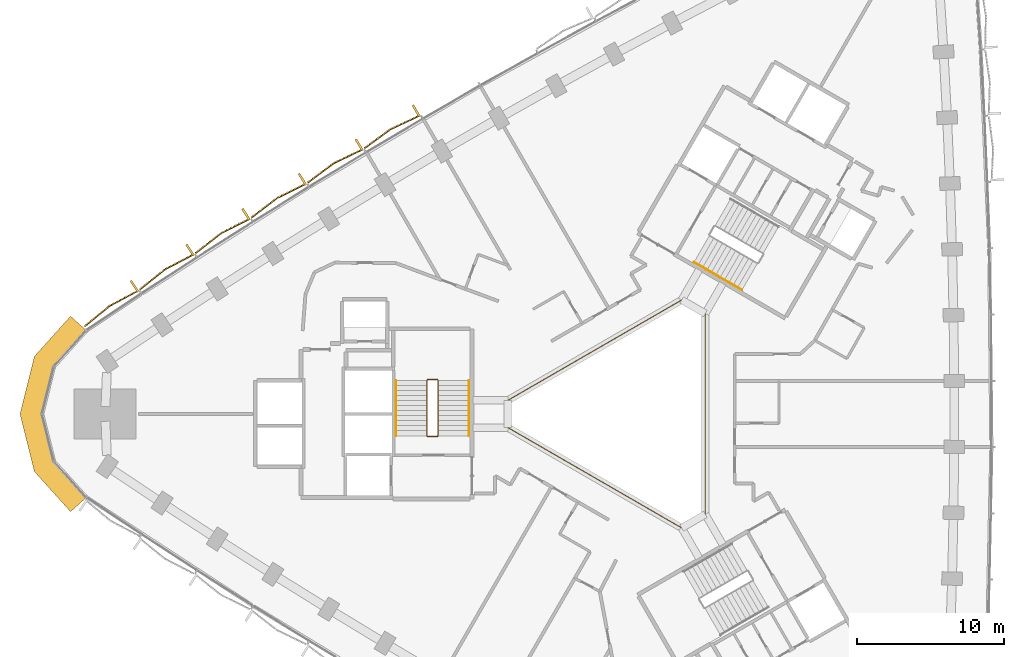
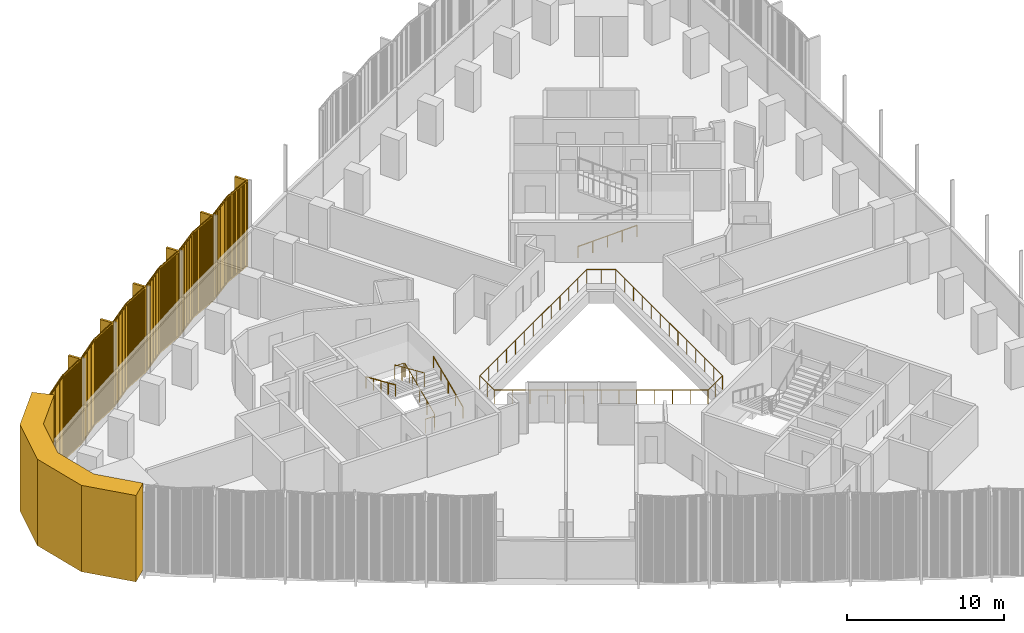
# One storey, part 15 of 16: 7 coverings, 5 railings.
"""IFC4 building model written with IfcOpenShell, lengths in metres."""

from ifc_helpers import new_model, si_unit, direction, frame, frame_2d, origin, origin_2d, place, context, subcontext, project, spatial, polyline, rectangle, circle, outline, extrude, source, transform, mapped, material, layer, layer_set, type_object, element, save


model = new_model("IFC4")

# Units and contexts
model_context = context("Model", 3, precision=1e-05, world=origin(), true_north=direction((0.0, 1.0)))
body_context = subcontext(model_context, "Body", "Model", "MODEL_VIEW")
ifc_project = project(units=[si_unit("LENGTHUNIT", "METRE"), si_unit("AREAUNIT", "SQUARE_METRE"), si_unit("VOLUMEUNIT", "CUBIC_METRE"), si_unit("PLANEANGLEUNIT", "RADIAN"), si_unit("MASSUNIT", "GRAM", prefix="KILO")], contexts=[model_context])

# Site, building, storey
site_placement = place(None, origin())
site = spatial("IfcSite", under=ifc_project, at=site_placement, CompositionType="ELEMENT")
building_placement = place(site_placement, origin())
building = spatial("IfcBuilding", under=site, at=building_placement, Name="Tamra Quay Hotel Tower", CompositionType="ELEMENT")
storey_placement = place(building_placement, frame((0.0, 0.0, 45.800048828125)))
storey = spatial("IfcBuildingStorey", under=building, at=storey_placement, Name="L09", CompositionType="ELEMENT", Elevation=45.800048828125)

# Covering
ifc_material_1 = material(Name="Precast concrete M60 terracotta-coloured", Category="masonry")
ifc_layer = layer(ifc_material_1, 1.449951171875)
ifc_layer_set = layer_set([ifc_layer], Name="CORNER PIER PANEL")
covering_type_1 = type_object("IfcCoveringType", Name="CORNER PIER PANEL", PredefinedType="CLADDING", material=ifc_layer_set)
covering_placement = place(storey_placement, origin())
element("IfcCovering", 1, at=covering_placement, inside=storey, type_object=covering_type_1, Name="Corner pier L09.north-west", PredefinedType="CLADDING", context=body_context, shape_type="SweptSolid", body=[
    extrude(outline(polyline([(-37.001708984375, 5.6669921875), (-38.0791015625, 6.63720703125), (-40.5341796875, 3.91064453125), (-41.509033203125, 0.0), (-40.5341796875, -3.91064453125), (-38.0791015625, -6.63720703125), (-37.001708984375, -5.6669921875), (-39.214599609375, -3.208984375), (-40.0146484375, 0.0), (-39.214599609375, 3.208984375), (-37.001708984375, 5.6669921875)])), origin(), (0.0, 0.0, 1.0), 6.724853515625),
])

# Railings
ifc_material_2 = material(Name="Guard atrium edge 1100")
railing_type_1 = type_object("IfcRailingType", Name="Guard atrium edge 1100", PredefinedType="GUARDRAIL", material=ifc_material_2)
railing_1_placement = place(storey_placement, frame((5.0, -6.81298828125, 0.0)))
element("IfcRailing", 2, at=railing_1_placement, inside=storey, type_object=railing_type_1, Name="G-A", PredefinedType="GUARDRAIL", context=body_context, shape_type="SweptSolid", body=[
    extrude(circle(Radius=0.02392578125, at=origin_2d()), frame((0.0, 0.0, 1.076171875), z_axis=(-0.866194386982, -0.499707198227, 0.0), x_axis=(0.499707198227, -0.866194386982, 0.0)), (0.0, 0.0, 1.0), 1.84716796875),
    extrude(circle(Radius=0.02392578125, at=origin_2d()), frame((-1.60009765625, -0.923095703125, 1.076171875), z_axis=(-0.866044747976, 0.49996649338, 0.0), x_axis=(-0.49996649338, -0.866044747976, 0.0)), (0.0, 0.0, 1.0), 13.625),
    extrude(circle(Radius=0.02392578125, at=origin_2d()), frame((-13.39990234375, 5.888916015625, 1.076171875), z_axis=(0.0, 1.0, 0.0), x_axis=(-1.0, 0.0, 0.0)), (0.0, 0.0, 1.0), 1.84814453125),
    extrude(circle(Radius=0.02392578125, at=origin_2d()), frame((-13.39990234375, 7.737060546875, 1.076171875), z_axis=(0.866044747976, 0.49996649338, 0.0), x_axis=(-0.49996649338, 0.866044747976, 0.0)), (0.0, 0.0, 1.0), 13.625),
    extrude(circle(Radius=0.02392578125, at=origin_2d()), frame((-1.60009765625, 14.549072265625, 1.076171875), z_axis=(0.866194386982, -0.499707198227, 0.0), x_axis=(0.499707198227, 0.866194386982, 0.0)), (0.0, 0.0, 1.0), 1.84716796875),
    extrude(circle(Radius=0.02392578125, at=origin_2d()), frame((0.0, 13.6259765625, 1.076171875), z_axis=(0.0, -1.0, 0.0), x_axis=(1.0, 0.0, 0.0)), (0.0, 0.0, 1.0), 13.6259765625),
    extrude(circle(Radius=0.02099609375, at=origin_2d()), origin(), (0.0, 0.0, 1.0), 1.052001953125),
    extrude(circle(Radius=0.02099609375, at=origin_2d()), frame((-0.800048828125, -0.46142578125, 0.0)), (0.0, 0.0, 1.0), 1.052001953125),
    extrude(circle(Radius=0.02099609375, at=origin_2d()), frame((-1.60009765625, -0.923095703125, 0.0)), (0.0, 0.0, 1.0), 1.052001953125),
    extrude(circle(Radius=0.02099609375, at=origin_2d()), frame((-2.58349609375, -0.35546875, 0.0)), (0.0, 0.0, 1.0), 1.052001953125),
    extrude(circle(Radius=0.02099609375, at=origin_2d()), frame((-3.566650390625, 0.212158203125, 0.0)), (0.0, 0.0, 1.0), 1.052001953125),
    extrude(circle(Radius=0.02099609375, at=origin_2d()), frame((-4.550048828125, 0.77978515625, 0.0)), (0.0, 0.0, 1.0), 1.052001953125),
    extrude(circle(Radius=0.02099609375, at=origin_2d()), frame((-5.533447265625, 1.34765625, 0.0)), (0.0, 0.0, 1.0), 1.052001953125),
    extrude(circle(Radius=0.02099609375, at=origin_2d()), frame((-6.5166015625, 1.915283203125, 0.0)), (0.0, 0.0, 1.0), 1.052001953125),
    extrude(circle(Radius=0.02099609375, at=origin_2d()), frame((-7.5, 2.48291015625, 0.0)), (0.0, 0.0, 1.0), 1.052001953125),
    extrude(circle(Radius=0.02099609375, at=origin_2d()), frame((-8.4833984375, 3.050537109375, 0.0)), (0.0, 0.0, 1.0), 1.052001953125),
    extrude(circle(Radius=0.02099609375, at=origin_2d()), frame((-9.466552734375, 3.6181640625, 0.0)), (0.0, 0.0, 1.0), 1.052001953125),
    extrude(circle(Radius=0.02099609375, at=origin_2d()), frame((-10.449951171875, 4.18603515625, 0.0)), (0.0, 0.0, 1.0), 1.052001953125),
    extrude(circle(Radius=0.02099609375, at=origin_2d()), frame((-11.433349609375, 4.753662109375, 0.0)), (0.0, 0.0, 1.0), 1.052001953125),
    extrude(circle(Radius=0.02099609375, at=origin_2d()), frame((-12.41650390625, 5.3212890625, 0.0)), (0.0, 0.0, 1.0), 1.052001953125),
    extrude(circle(Radius=0.02099609375, at=origin_2d()), frame((-13.39990234375, 5.888916015625, 0.0)), (0.0, 0.0, 1.0), 1.052001953125),
    extrude(circle(Radius=0.02099609375, at=origin_2d()), frame((-13.39990234375, 6.81298828125, 0.0)), (0.0, 0.0, 1.0), 1.052001953125),
    extrude(circle(Radius=0.02099609375, at=origin_2d()), frame((-13.39990234375, 7.737060546875, 0.0)), (0.0, 0.0, 1.0), 1.052001953125),
    extrude(circle(Radius=0.02099609375, at=origin_2d()), frame((-12.41650390625, 8.3046875, 0.0)), (0.0, 0.0, 1.0), 1.052001953125),
    extrude(circle(Radius=0.02099609375, at=origin_2d()), frame((-11.433349609375, 8.872314453125, 0.0)), (0.0, 0.0, 1.0), 1.052001953125),
    extrude(circle(Radius=0.02099609375, at=origin_2d()), frame((-10.449951171875, 9.43994140625, 0.0)), (0.0, 0.0, 1.0), 1.052001953125),
    extrude(circle(Radius=0.02099609375, at=origin_2d()), frame((-9.466552734375, 10.0078125, 0.0)), (0.0, 0.0, 1.0), 1.052001953125),
    extrude(circle(Radius=0.02099609375, at=origin_2d()), frame((-8.4833984375, 10.575439453125, 0.0)), (0.0, 0.0, 1.0), 1.052001953125),
    extrude(circle(Radius=0.02099609375, at=origin_2d()), frame((-7.5, 11.14306640625, 0.0)), (0.0, 0.0, 1.0), 1.052001953125),
    extrude(circle(Radius=0.02099609375, at=origin_2d()), frame((-6.5166015625, 11.710693359375, 0.0)), (0.0, 0.0, 1.0), 1.052001953125),
    extrude(circle(Radius=0.02099609375, at=origin_2d()), frame((-5.533447265625, 12.2783203125, 0.0)), (0.0, 0.0, 1.0), 1.052001953125),
    extrude(circle(Radius=0.02099609375, at=origin_2d()), frame((-4.550048828125, 12.84619140625, 0.0)), (0.0, 0.0, 1.0), 1.052001953125),
    extrude(circle(Radius=0.02099609375, at=origin_2d()), frame((-3.566650390625, 13.413818359375, 0.0)), (0.0, 0.0, 1.0), 1.052001953125),
    extrude(circle(Radius=0.02099609375, at=origin_2d()), frame((-2.58349609375, 13.9814453125, 0.0)), (0.0, 0.0, 1.0), 1.052001953125),
    extrude(circle(Radius=0.02099609375, at=origin_2d()), frame((-1.60009765625, 14.549072265625, 0.0)), (0.0, 0.0, 1.0), 1.052001953125),
    extrude(circle(Radius=0.02099609375, at=origin_2d()), frame((-0.800048828125, 14.08740234375, 0.0)), (0.0, 0.0, 1.0), 1.052001953125),
    extrude(circle(Radius=0.02099609375, at=origin_2d()), frame((0.0, 13.6259765625, 0.0)), (0.0, 0.0, 1.0), 1.052001953125),
    extrude(circle(Radius=0.02099609375, at=origin_2d()), frame((0.0, 12.490478515625, 0.0)), (0.0, 0.0, 1.0), 1.052001953125),
    extrude(circle(Radius=0.02099609375, at=origin_2d()), frame((0.0, 11.35498046875, 0.0)), (0.0, 0.0, 1.0), 1.052001953125),
    extrude(circle(Radius=0.02099609375, at=origin_2d()), frame((0.0, 10.219482421875, 0.0)), (0.0, 0.0, 1.0), 1.052001953125),
    extrude(circle(Radius=0.02099609375, at=origin_2d()), frame((0.0, 9.083984375, 0.0)), (0.0, 0.0, 1.0), 1.052001953125),
    extrude(circle(Radius=0.02099609375, at=origin_2d()), frame((0.0, 7.948486328125, 0.0)), (0.0, 0.0, 1.0), 1.052001953125),
    extrude(circle(Radius=0.02099609375, at=origin_2d()), frame((0.0, 6.81298828125, 0.0)), (0.0, 0.0, 1.0), 1.052001953125),
    extrude(circle(Radius=0.02099609375, at=origin_2d()), frame((0.0, 5.677490234375, 0.0)), (0.0, 0.0, 1.0), 1.052001953125),
    extrude(circle(Radius=0.02099609375, at=origin_2d()), frame((0.0, 4.5419921875, 0.0)), (0.0, 0.0, 1.0), 1.052001953125),
    extrude(circle(Radius=0.02099609375, at=origin_2d()), frame((0.0, 3.406494140625, 0.0)), (0.0, 0.0, 1.0), 1.052001953125),
    extrude(circle(Radius=0.02099609375, at=origin_2d()), frame((0.0, 2.27099609375, 0.0)), (0.0, 0.0, 1.0), 1.052001953125),
    extrude(circle(Radius=0.02099609375, at=origin_2d()), frame((0.0, 1.135498046875, 0.0)), (0.0, 0.0, 1.0), 1.052001953125),
])
ifc_material_3 = material(Name="Stair guard 1100")
railing_type_2 = type_object("IfcRailingType", Name="Stair guard 1100", PredefinedType="GUARDRAIL", material=ifc_material_3)
railing_2_placement = place(storey_placement, frame((-13.84130859375, -1.530029296875, 0.0)))
element("IfcRailing", 3, at=railing_2_placement, inside=storey, type_object=railing_type_2, Name="GR", PredefinedType="GUARDRAIL", context=body_context, shape_type="SweptSolid", body=[
    extrude(circle(Radius=0.02392578125, at=origin_2d()), frame((0.0, 0.0, 1.076171875), z_axis=(1.0, 0.0, 0.0), x_axis=(0.0, 1.0, 0.0)), (0.0, 0.0, 1.0), 0.658935546875),
    extrude(circle(Radius=0.02392578125, at=origin_2d()), frame((0.658935546875, 0.0, 1.076171875), z_axis=(0.301912943143, 0.301912943143, 0.904266083366), x_axis=(-0.707106781187, 0.707106781187, 0.0)), (0.0, 0.0, 1.0), 0.165771484375),
    extrude(circle(Radius=0.02392578125, at=origin_2d()), frame((0.708984375, 0.050048828125, 1.22607421875), z_axis=(0.0, 0.915773634228, 0.401694723457), x_axis=(-1.0, 0.0, 0.0)), (0.0, 0.0, 1.0), 4.10791015625),
    extrude(circle(Radius=0.02392578125, at=origin_2d()), frame((0.708984375, 3.81201171875, 2.8759765625), z_axis=(-0.708833529934, 0.705375805398, 0.0), x_axis=(-0.705375805398, -0.708833529934, 0.0)), (0.0, 0.0, 1.0), 0.070556640625),
    extrude(circle(Radius=0.02392578125, at=origin_2d()), frame((0.658935546875, 3.86181640625, 2.8759765625), z_axis=(-1.0, 0.0, 0.0), x_axis=(0.0, -1.0, 0.0)), (0.0, 0.0, 1.0), 0.658935546875),
    extrude(circle(Radius=0.02392578125, at=origin_2d()), frame((0.0, 3.86181640625, 2.8759765625), z_axis=(-0.302046947789, -0.300573548044, 0.904667443621), x_axis=(0.705375805398, -0.708833529934, 0.0)), (0.0, 0.0, 1.0), 0.165771484375),
    extrude(circle(Radius=0.02392578125, at=origin_2d()), frame((-0.050048828125, 3.81201171875, 3.02587890625), z_axis=(0.0, -0.915795495799, 0.401644880304), x_axis=(1.0, 0.0, 0.0)), (0.0, 0.0, 1.0), 4.10791015625),
    extrude(circle(Radius=0.02099609375, at=origin_2d()), origin(), (0.0, 0.0, 1.0), 1.052001953125),
    extrude(circle(Radius=0.02099609375, at=origin_2d()), frame((0.658935546875, 0.0, 0.0)), (0.0, 0.0, 1.0), 1.052001953125),
    extrude(circle(Radius=0.02099609375, at=origin_2d()), frame((0.708984375, 0.050048828125, 0.14990234375)), (0.0, 0.0, 1.0), 1.052001953125),
    extrude(circle(Radius=0.02099609375, at=origin_2d()), frame((0.708984375, 0.990478515625, 0.5625)), (0.0, 0.0, 1.0), 1.052001953125),
    extrude(circle(Radius=0.02099609375, at=origin_2d()), frame((0.708984375, 1.93115234375, 0.97509765625)), (0.0, 0.0, 1.0), 1.052001953125),
    extrude(circle(Radius=0.02099609375, at=origin_2d()), frame((0.708984375, 2.87158203125, 1.387451171875)), (0.0, 0.0, 1.0), 1.052001953125),
    extrude(circle(Radius=0.02099609375, at=origin_2d()), frame((0.708984375, 3.81201171875, 1.800048828125)), (0.0, 0.0, 1.0), 1.052001953125),
    extrude(circle(Radius=0.02099609375, at=origin_2d()), frame((0.658935546875, 3.86181640625, 1.800048828125)), (0.0, 0.0, 1.0), 1.052001953125),
    extrude(circle(Radius=0.02099609375, at=origin_2d()), frame((0.0, 3.86181640625, 1.800048828125)), (0.0, 0.0, 1.0), 1.052001953125),
    extrude(circle(Radius=0.02099609375, at=origin_2d()), frame((-0.050048828125, 3.81201171875, 1.949951171875)), (0.0, 0.0, 1.0), 1.052001953125),
    extrude(circle(Radius=0.02099609375, at=origin_2d()), frame((-0.050048828125, 2.87158203125, 2.3623046875)), (0.0, 0.0, 1.0), 1.052001953125),
    extrude(circle(Radius=0.02099609375, at=origin_2d()), frame((-0.050048828125, 1.93115234375, 2.77490234375)), (0.0, 0.0, 1.0), 1.052001953125),
    extrude(circle(Radius=0.02099609375, at=origin_2d()), frame((-0.050048828125, 0.990478515625, 3.1875)), (0.0, 0.0, 1.0), 1.052001953125),
    extrude(circle(Radius=0.02099609375, at=origin_2d()), frame((-0.050048828125, 0.050048828125, 3.599853515625)), (0.0, 0.0, 1.0), 1.052001953125),
])
ifc_material_4 = material(Name="Stair handrail 900")
railing_type_3 = type_object("IfcRailingType", Name="Stair handrail 900", PredefinedType="HANDRAIL", material=ifc_material_4)
railing_3_placement = place(storey_placement, frame((-11.0322265625, -1.47998046875, 0.14990234375)))
element("IfcRailing", 4, at=railing_3_placement, inside=storey, type_object=railing_type_3, Name="HR", PredefinedType="HANDRAIL", context=body_context, shape_type="SweptSolid", body=[
    extrude(circle(Radius=0.02392578125, at=origin_2d()), frame((0.0, 0.0, 0.8759765625), z_axis=(0.0, 0.915773634228, 0.401694723457), x_axis=(-1.0, 0.0, 0.0)), (0.0, 0.0, 1.0), 4.10791015625),
    extrude(circle(Radius=0.02099609375, at=origin_2d()), origin(), (0.0, 0.0, 1.0), 0.851806640625),
    extrude(circle(Radius=0.02099609375, at=origin_2d()), frame((0.0, 0.9404296875, 0.41259765625)), (0.0, 0.0, 1.0), 0.851806640625),
    extrude(circle(Radius=0.02099609375, at=origin_2d()), frame((0.0, 1.880859375, 0.8251953125)), (0.0, 0.0, 1.0), 0.851806640625),
    extrude(circle(Radius=0.02099609375, at=origin_2d()), frame((0.0, 2.821533203125, 1.237548828125)), (0.0, 0.0, 1.0), 0.851806640625),
    extrude(circle(Radius=0.02099609375, at=origin_2d()), frame((0.0, 3.761962890625, 1.650146484375)), (0.0, 0.0, 1.0), 0.851806640625),
])
railing_4_placement = place(storey_placement, frame((-15.9912109375, 2.281982421875, 1.949951171875)))
element("IfcRailing", 5, at=railing_4_placement, inside=storey, type_object=railing_type_3, Name="HR", PredefinedType="HANDRAIL", context=body_context, shape_type="SweptSolid", body=[
    extrude(circle(Radius=0.02392578125, at=origin_2d()), frame((0.0, 0.0, 0.8759765625), z_axis=(0.0, -0.915795495799, 0.401644880304), x_axis=(1.0, 0.0, 0.0)), (0.0, 0.0, 1.0), 4.10791015625),
    extrude(circle(Radius=0.02099609375, at=origin_2d()), origin(), (0.0, 0.0, 1.0), 0.851806640625),
    extrude(circle(Radius=0.02099609375, at=origin_2d()), frame((0.0, -0.9404296875, 0.41259765625)), (0.0, 0.0, 1.0), 0.851806640625),
    extrude(circle(Radius=0.02099609375, at=origin_2d()), frame((0.0, -1.880859375, 0.824951171875)), (0.0, 0.0, 1.0), 0.851806640625),
    extrude(circle(Radius=0.02099609375, at=origin_2d()), frame((0.0, -2.821533203125, 1.2373046875)), (0.0, 0.0, 1.0), 0.851806640625),
    extrude(circle(Radius=0.02099609375, at=origin_2d()), frame((0.0, -3.761962890625, 1.64990234375)), (0.0, 0.0, 1.0), 0.851806640625),
])
railing_5_placement = place(storey_placement, frame((4.234375, 10.294189453125, 0.14990234375)))
element("IfcRailing", 6, at=railing_5_placement, inside=storey, type_object=railing_type_3, Name="HR", PredefinedType="HANDRAIL", context=body_context, shape_type="SweptSolid", body=[
    extrude(circle(Radius=0.02392578125, at=origin_2d()), frame((0.0, 0.0, 0.8759765625), z_axis=(0.793103162556, -0.457854384738, 0.401692339881), x_axis=(0.499964013922, 0.86604617936, 0.0)), (0.0, 0.0, 1.0), 4.10791015625),
    extrude(circle(Radius=0.02099609375, at=origin_2d()), origin(), (0.0, 0.0, 1.0), 0.851806640625),
    extrude(circle(Radius=0.02099609375, at=origin_2d()), frame((0.814453125, -0.47021484375, 0.41259765625)), (0.0, 0.0, 1.0), 0.851806640625),
    extrude(circle(Radius=0.02099609375, at=origin_2d()), frame((1.62890625, -0.9404296875, 0.8251953125)), (0.0, 0.0, 1.0), 0.851806640625),
    extrude(circle(Radius=0.02099609375, at=origin_2d()), frame((2.443603515625, -1.41064453125, 1.237548828125)), (0.0, 0.0, 1.0), 0.851806640625),
    extrude(circle(Radius=0.02099609375, at=origin_2d()), frame((3.258056640625, -1.880859375, 1.650146484375)), (0.0, 0.0, 1.0), 0.851806640625),
])

# Coverings
ifc_material_5 = material(Name="Terracotta baguette extruded", Category="masonry")
covering_type_2 = type_object("IfcCoveringType", Name="BAGUETTE SCREEN NW-V H6725", PredefinedType="USERDEFINED", material=ifc_material_5)
shared_shape = source(origin(), body_context, "Body", "SweptSolid", [
    extrude(rectangle(XDim=2.212646484375, YDim=0.06005859375, at=frame_2d((1.1064453125, 0.030029296875))), frame((-2.208251953125, -0.0576171875, -0.1201171875), z_axis=(0.0, 0.0, 1.0), x_axis=(0.995396198367, -0.09584575252, 0.0)), (0.0, 0.0, 1.0), 0.1201171875),
    extrude(rectangle(XDim=2.212646484375, YDim=0.06005859375, at=frame_2d((1.1064453125, 0.030029296875))), frame((-2.208251953125, -0.0576171875, -6.72509765625), z_axis=(0.0, 0.0, 1.0), x_axis=(0.995396198367, -0.09584575252, 0.0)), (0.0, 0.0, 1.0), 0.1201171875),
    extrude(rectangle(XDim=0.070068359375, YDim=0.10009765625, at=frame_2d((0.03515625, 0.050048828125))), frame((-2.1875, -0.1328125, -6.6650390625)), (0.0, 0.0, 1.0), 6.60498046875),
    extrude(rectangle(XDim=0.070068359375, YDim=0.10009765625, at=frame_2d((0.03515625, 0.050048828125))), frame((-2.08740234375, -0.142578125, -6.6650390625)), (0.0, 0.0, 1.0), 6.60498046875),
    extrude(rectangle(XDim=0.070068359375, YDim=0.10009765625, at=frame_2d((0.03515625, 0.050048828125))), frame((-1.9873046875, -0.152099609375, -6.6650390625)), (0.0, 0.0, 1.0), 6.60498046875),
    extrude(rectangle(XDim=0.070068359375, YDim=0.10009765625, at=frame_2d((0.03515625, 0.050048828125))), frame((-1.88720703125, -0.16162109375, -6.6650390625)), (0.0, 0.0, 1.0), 6.60498046875),
    extrude(rectangle(XDim=0.070068359375, YDim=0.10009765625, at=frame_2d((0.03515625, 0.050048828125))), frame((-1.787109375, -0.17138671875, -6.6650390625)), (0.0, 0.0, 1.0), 6.60498046875),
    extrude(rectangle(XDim=0.070068359375, YDim=0.10009765625, at=frame_2d((0.03515625, 0.050048828125))), frame((-1.686767578125, -0.180908203125, -6.6650390625)), (0.0, 0.0, 1.0), 6.60498046875),
    extrude(rectangle(XDim=0.070068359375, YDim=0.10009765625, at=frame_2d((0.03515625, 0.050048828125))), frame((-1.586669921875, -0.190673828125, -6.6650390625)), (0.0, 0.0, 1.0), 6.60498046875),
    extrude(rectangle(XDim=0.070068359375, YDim=0.10009765625, at=frame_2d((0.03515625, 0.050048828125))), frame((-1.486572265625, -0.2001953125, -6.6650390625)), (0.0, 0.0, 1.0), 6.60498046875),
    extrude(rectangle(XDim=0.070068359375, YDim=0.10009765625, at=frame_2d((0.03515625, 0.050048828125))), frame((-1.386474609375, -0.2099609375, -6.6650390625)), (0.0, 0.0, 1.0), 6.60498046875),
    extrude(rectangle(XDim=0.070068359375, YDim=0.10009765625, at=frame_2d((0.03515625, 0.050048828125))), frame((-1.286376953125, -0.219482421875, -6.6650390625)), (0.0, 0.0, 1.0), 6.60498046875),
    extrude(rectangle(XDim=0.070068359375, YDim=0.10009765625, at=frame_2d((0.03515625, 0.050048828125))), frame((-1.186279296875, -0.229248046875, -6.6650390625)), (0.0, 0.0, 1.0), 6.60498046875),
    extrude(rectangle(XDim=0.070068359375, YDim=0.10009765625, at=frame_2d((0.03515625, 0.050048828125))), frame((-1.086181640625, -0.23876953125, -6.6650390625)), (0.0, 0.0, 1.0), 6.60498046875),
    extrude(rectangle(XDim=0.070068359375, YDim=0.10009765625, at=frame_2d((0.03515625, 0.050048828125))), frame((-0.986083984375, -0.24853515625, -6.6650390625)), (0.0, 0.0, 1.0), 6.60498046875),
    extrude(rectangle(XDim=0.070068359375, YDim=0.10009765625, at=frame_2d((0.03515625, 0.050048828125))), frame((-0.885986328125, -0.258056640625, -6.6650390625)), (0.0, 0.0, 1.0), 6.60498046875),
    extrude(rectangle(XDim=0.070068359375, YDim=0.10009765625, at=frame_2d((0.03515625, 0.050048828125))), frame((-0.785888671875, -0.267822265625, -6.6650390625)), (0.0, 0.0, 1.0), 6.60498046875),
    extrude(rectangle(XDim=0.070068359375, YDim=0.10009765625, at=frame_2d((0.03515625, 0.050048828125))), frame((-0.685791015625, -0.27734375, -6.6650390625)), (0.0, 0.0, 1.0), 6.60498046875),
    extrude(rectangle(XDim=0.070068359375, YDim=0.10009765625, at=frame_2d((0.03515625, 0.050048828125))), frame((-0.585693359375, -0.287109375, -6.6650390625)), (0.0, 0.0, 1.0), 6.60498046875),
    extrude(rectangle(XDim=0.070068359375, YDim=0.10009765625, at=frame_2d((0.03515625, 0.050048828125))), frame((-0.485595703125, -0.296630859375, -6.6650390625)), (0.0, 0.0, 1.0), 6.60498046875),
    extrude(rectangle(XDim=0.070068359375, YDim=0.10009765625, at=frame_2d((0.03515625, 0.050048828125))), frame((-0.385498046875, -0.306396484375, -6.6650390625)), (0.0, 0.0, 1.0), 6.60498046875),
    extrude(rectangle(XDim=0.070068359375, YDim=0.10009765625, at=frame_2d((0.03515625, 0.050048828125))), frame((-0.285400390625, -0.31591796875, -6.6650390625)), (0.0, 0.0, 1.0), 6.60498046875),
    extrude(rectangle(XDim=0.070068359375, YDim=0.10009765625, at=frame_2d((0.03515625, 0.050048828125))), frame((-0.18505859375, -0.32568359375, -6.6650390625)), (0.0, 0.0, 1.0), 6.60498046875),
    extrude(rectangle(XDim=0.070068359375, YDim=0.10009765625, at=frame_2d((0.03515625, 0.050048828125))), frame((-0.0849609375, -0.335205078125, -6.6650390625)), (0.0, 0.0, 1.0), 6.60498046875),
    extrude(rectangle(XDim=2.212646484375, YDim=0.06005859375, at=frame_2d((1.1064453125, 0.030029296875))), frame((0.005859375, -0.269775390625, -0.1201171875), z_axis=(0.0, 0.0, 1.0), x_axis=(0.995396198367, 0.09584575252, 0.0)), (0.0, 0.0, 1.0), 0.1201171875),
    extrude(rectangle(XDim=2.212646484375, YDim=0.06005859375, at=frame_2d((1.1064453125, 0.030029296875))), frame((0.005859375, -0.269775390625, -6.72509765625), z_axis=(0.0, 0.0, 1.0), x_axis=(0.995396198367, 0.09584575252, 0.0)), (0.0, 0.0, 1.0), 0.1201171875),
    extrude(rectangle(XDim=0.070068359375, YDim=0.10009765625, at=frame_2d((0.03515625, 0.050048828125))), frame((0.01513671875, -0.335205078125, -6.6650390625)), (0.0, 0.0, 1.0), 6.60498046875),
    extrude(rectangle(XDim=0.070068359375, YDim=0.10009765625, at=frame_2d((0.03515625, 0.050048828125))), frame((0.115234375, -0.32568359375, -6.6650390625)), (0.0, 0.0, 1.0), 6.60498046875),
    extrude(rectangle(XDim=0.070068359375, YDim=0.10009765625, at=frame_2d((0.03515625, 0.050048828125))), frame((0.21533203125, -0.31591796875, -6.6650390625)), (0.0, 0.0, 1.0), 6.60498046875),
    extrude(rectangle(XDim=0.070068359375, YDim=0.10009765625, at=frame_2d((0.03515625, 0.050048828125))), frame((0.3154296875, -0.306396484375, -6.6650390625)), (0.0, 0.0, 1.0), 6.60498046875),
    extrude(rectangle(XDim=0.070068359375, YDim=0.10009765625, at=frame_2d((0.03515625, 0.050048828125))), frame((0.41552734375, -0.296630859375, -6.6650390625)), (0.0, 0.0, 1.0), 6.60498046875),
    extrude(rectangle(XDim=0.070068359375, YDim=0.10009765625, at=frame_2d((0.03515625, 0.050048828125))), frame((0.515625, -0.287109375, -6.6650390625)), (0.0, 0.0, 1.0), 6.60498046875),
    extrude(rectangle(XDim=0.070068359375, YDim=0.10009765625, at=frame_2d((0.03515625, 0.050048828125))), frame((0.61572265625, -0.27734375, -6.6650390625)), (0.0, 0.0, 1.0), 6.60498046875),
    extrude(rectangle(XDim=0.070068359375, YDim=0.10009765625, at=frame_2d((0.03515625, 0.050048828125))), frame((0.7158203125, -0.267822265625, -6.6650390625)), (0.0, 0.0, 1.0), 6.60498046875),
    extrude(rectangle(XDim=0.070068359375, YDim=0.10009765625, at=frame_2d((0.03515625, 0.050048828125))), frame((0.81591796875, -0.258056640625, -6.6650390625)), (0.0, 0.0, 1.0), 6.60498046875),
    extrude(rectangle(XDim=0.070068359375, YDim=0.10009765625, at=frame_2d((0.03515625, 0.050048828125))), frame((0.916015625, -0.24853515625, -6.6650390625)), (0.0, 0.0, 1.0), 6.60498046875),
    extrude(rectangle(XDim=0.070068359375, YDim=0.10009765625, at=frame_2d((0.03515625, 0.050048828125))), frame((1.01611328125, -0.23876953125, -6.6650390625)), (0.0, 0.0, 1.0), 6.60498046875),
    extrude(rectangle(XDim=0.070068359375, YDim=0.10009765625, at=frame_2d((0.03515625, 0.050048828125))), frame((1.1162109375, -0.229248046875, -6.6650390625)), (0.0, 0.0, 1.0), 6.60498046875),
    extrude(rectangle(XDim=0.070068359375, YDim=0.10009765625, at=frame_2d((0.03515625, 0.050048828125))), frame((1.21630859375, -0.219482421875, -6.6650390625)), (0.0, 0.0, 1.0), 6.60498046875),
    extrude(rectangle(XDim=0.070068359375, YDim=0.10009765625, at=frame_2d((0.03515625, 0.050048828125))), frame((1.316650390625, -0.2099609375, -6.6650390625)), (0.0, 0.0, 1.0), 6.60498046875),
    extrude(rectangle(XDim=0.070068359375, YDim=0.10009765625, at=frame_2d((0.03515625, 0.050048828125))), frame((1.416748046875, -0.2001953125, -6.6650390625)), (0.0, 0.0, 1.0), 6.60498046875),
    extrude(rectangle(XDim=0.070068359375, YDim=0.10009765625, at=frame_2d((0.03515625, 0.050048828125))), frame((1.516845703125, -0.190673828125, -6.6650390625)), (0.0, 0.0, 1.0), 6.60498046875),
    extrude(rectangle(XDim=0.070068359375, YDim=0.10009765625, at=frame_2d((0.03515625, 0.050048828125))), frame((1.616943359375, -0.180908203125, -6.6650390625)), (0.0, 0.0, 1.0), 6.60498046875),
    extrude(rectangle(XDim=0.070068359375, YDim=0.10009765625, at=frame_2d((0.03515625, 0.050048828125))), frame((1.717041015625, -0.17138671875, -6.6650390625)), (0.0, 0.0, 1.0), 6.60498046875),
    extrude(rectangle(XDim=0.070068359375, YDim=0.10009765625, at=frame_2d((0.03515625, 0.050048828125))), frame((1.817138671875, -0.16162109375, -6.6650390625)), (0.0, 0.0, 1.0), 6.60498046875),
    extrude(rectangle(XDim=0.070068359375, YDim=0.10009765625, at=frame_2d((0.03515625, 0.050048828125))), frame((1.917236328125, -0.152099609375, -6.6650390625)), (0.0, 0.0, 1.0), 6.60498046875),
    extrude(rectangle(XDim=0.070068359375, YDim=0.10009765625, at=frame_2d((0.03515625, 0.050048828125))), frame((2.017333984375, -0.142578125, -6.6650390625)), (0.0, 0.0, 1.0), 6.60498046875),
    extrude(rectangle(XDim=0.070068359375, YDim=0.10009765625, at=frame_2d((0.03515625, 0.050048828125))), frame((2.117431640625, -0.1328125, -6.6650390625)), (0.0, 0.0, 1.0), 6.60498046875),
    extrude(rectangle(XDim=0.14990234375, YDim=0.902099609375, at=frame_2d((0.074951171875, 0.451171875))), frame((-2.202392578125, -0.89990234375, -6.72509765625)), (0.0, 0.0, 1.0), 6.72509765625),
])
for number, where, z_axis, x_axis, name in (
    (7, (-16.21875, 19.09228515625, 6.724853515625), (0.0, 0.0, 1.0), (-0.860556647162, -0.509354745757, 0.0), "Baguette screen L09.NW.f07"),
    (8, (-20.079345703125, 16.77880859375, 6.724853515625), (0.0, 0.0, 1.0), (-0.85499355735, -0.51863861878, 0.0), "Baguette screen L09.NW.f08"),
    (9, (-23.91455078125, 14.423828125, 6.724853515625), (0.0, 0.0, 1.0), (-0.849331223164, -0.527860278254, 0.0), "Baguette screen L09.NW.f09"),
    (10, (-27.7236328125, 12.028076171875, 6.724853515625), (0.0, 0.0, 1.0), (-0.84357098627, -0.537017682319, 0.0), "Baguette screen L09.NW.f10"),
    (11, (-31.507080078125, 9.590576171875, 6.724853515625), (0.0, 0.0, 1.0), (-0.837727846152, -0.546087956086, 0.0), "Baguette screen L09.NW.f11"),
    (12, (-35.263671875, 7.11279296875, 6.724853515625), (0.0, 0.0, 1.0), (-0.831797967949, -0.555078499418, 0.0), "Baguette screen L09.NW.f12"),
):
    element("IfcCovering", number, at=place(storey_placement, frame(where, z_axis=z_axis, x_axis=x_axis)), inside=storey, type_object=covering_type_2, Name=name, ObjectType="BAGUETTE SCREEN", PredefinedType="USERDEFINED", context=body_context, shape_type="MappedRepresentation", body=[
        mapped(shared_shape, transform((0.0, 0.0, 0.0), scale=1.0)),
    ])

save(model, "model.ifc")
